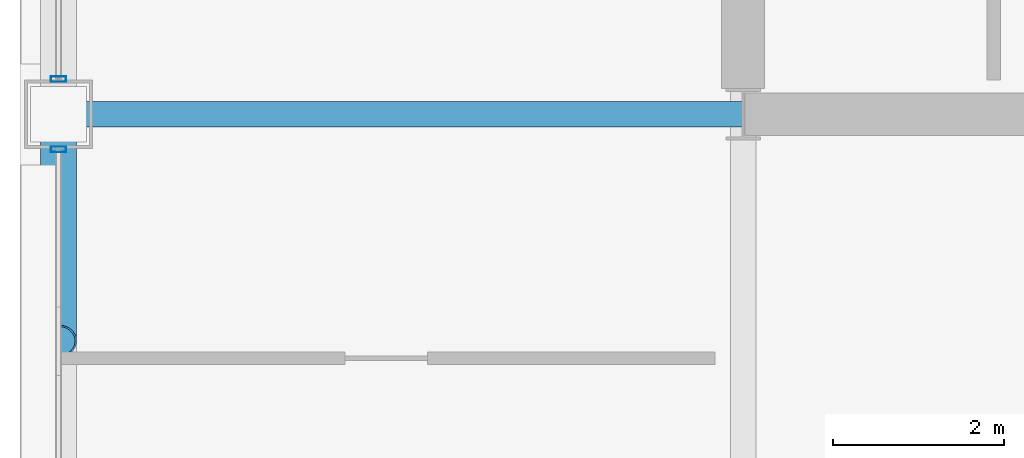
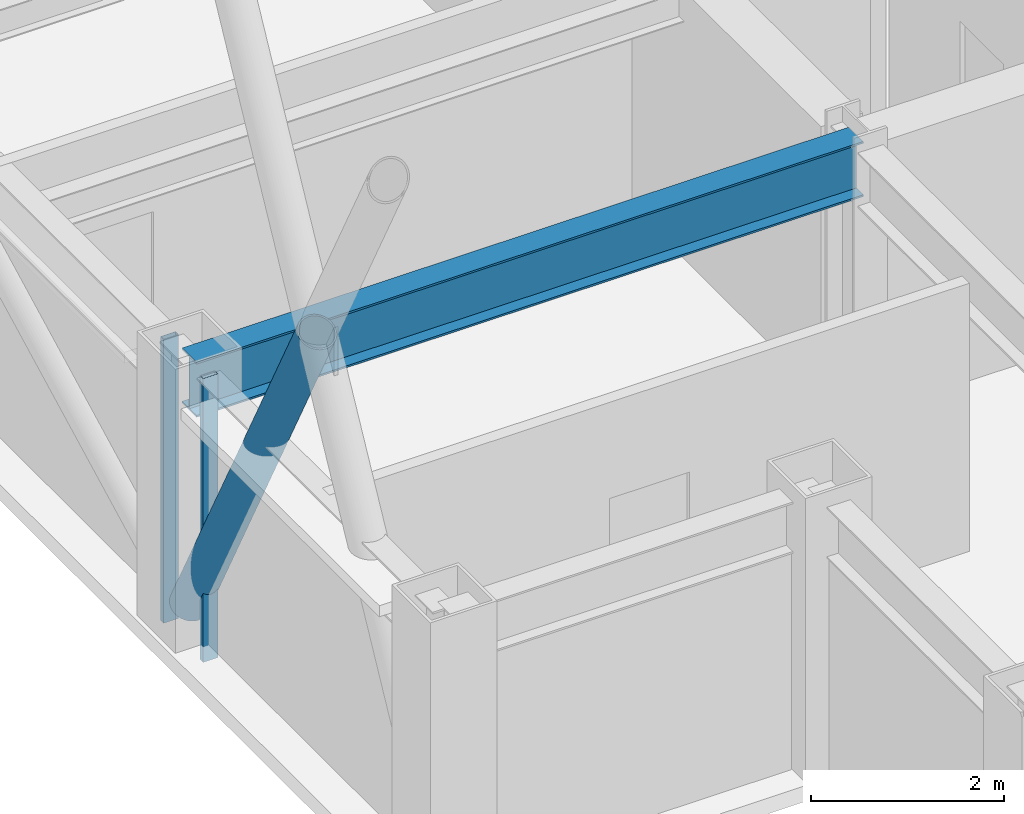
# One storey, part 5 of 33: 3 members, 1 beam, 2 elements without a shape of their own.
"""IFC4 building model written with IfcOpenShell, lengths in metres."""

from ifc_helpers import new_model, si_unit, direction, frame, origin, origin_2d, place, context, subcontext, project, spatial, hollow_rectangle, hollow_circle, i_section, extrude, material, layer, layer_set, material_profile, profile_set, type_object, element, aggregate, save


model = new_model("IFC4")

# Units and contexts
model_context = context("Model", 3, precision=1e-05, world=origin(), true_north=direction((0.0, 1.0)))
body_context = subcontext(model_context, "Body", "Model", "MODEL_VIEW")
ifc_project = project(units=[si_unit("LENGTHUNIT", "METRE"), si_unit("AREAUNIT", "SQUARE_METRE"), si_unit("VOLUMEUNIT", "CUBIC_METRE"), si_unit("PLANEANGLEUNIT", "RADIAN"), si_unit("MASSUNIT", "GRAM", prefix="KILO")], contexts=[model_context])

# Site, building, storey
site_placement = place(None, origin())
site = spatial("IfcSite", under=ifc_project, at=site_placement, CompositionType="ELEMENT")
building_placement = place(site_placement, origin())
building = spatial("IfcBuilding", under=site, at=building_placement, Name="Brelmoor Portico Tower", CompositionType="ELEMENT")
storey_placement = place(building_placement, frame((0.0, 0.0, 120.60009765625)))
storey = spatial("IfcBuildingStorey", under=building, at=storey_placement, Name="L31", CompositionType="ELEMENT", Elevation=120.60009765625)

# Beam
ifc_material_1 = material(Name="Steel Q355B", Category="steel")
ifc_material_profile_1 = material_profile(ifc_material_1, i_section(OverallWidth=0.300048828125, OverallDepth=0.699951171875, WebThickness=0.012939453125, FlangeThickness=0.02392578125, at=origin_2d()), Name="HN 700x300x13x24")
ifc_profile_set_1 = profile_set([ifc_material_profile_1], Name="Steel Q355B")
beam_type = type_object("IfcBeamType", Name="BM-PG-700", PredefinedType="BEAM", material=ifc_profile_set_1)
beam_placement = place(storey_placement, frame((-22.550048828125, -9.75, 3.0498046875), z_axis=(1.0, 0.0, 0.0), x_axis=(0.0, 1.0, 0.0)))
element("IfcBeam", 1, at=beam_placement, inside=storey, type_object=beam_type, Name="L31 Primary Floor Girder PG-14", PredefinedType="BEAM", context=body_context, shape_type="SweptSolid", body=[
    extrude(i_section(OverallWidth=0.300048828125, OverallDepth=0.699951171875, WebThickness=0.012939453125, FlangeThickness=0.02392578125, at=origin_2d()), origin(), (0.0, 0.0, 1.0), 8.0),
])

# Member
ifc_material_profile_2 = material_profile(ifc_material_1, hollow_circle(Radius=0.212890625, WallThickness=0.02001953125, at=origin_2d()), Name="CHS 426x20")
ifc_profile_set_2 = profile_set([ifc_material_profile_2], Name="Steel Q355B")
member_type_1 = type_object("IfcMemberType", Name="MB-BELT-DIAG1", PredefinedType="BRACE", material=ifc_profile_set_2)
member_1_placement = place(storey_placement, frame((-22.550048828125, -9.75, 0.25), z_axis=(0.0, -0.464662733102, 0.885487743826), x_axis=(1.0, 0.0, 0.0)))
element("IfcMember", 2, at=member_1_placement, inside=storey, type_object=member_type_1, Name="L31 Split Mega-X Brace 069B1", PredefinedType="BRACE", context=body_context, shape_type="SweptSolid", body=[
    extrude(hollow_circle(Radius=0.212890625, WallThickness=0.02001953125, at=origin_2d()), origin(), (0.0, 0.0, 1.0), 5.702880859375),
])

# Curtain wall, member
ifc_material_2 = material(Name="Anodised Aluminium Alloy 6063-T6", Category="aluminium")
ifc_layer = layer(ifc_material_2, 0.179931640625)
ifc_layer_set = layer_set([ifc_layer], Name="Anodised Aluminium Alloy 6063-T6")
curtain_wall_type = type_object("IfcCurtainWallType", Name="CW-TOWER-Z2-XB", PredefinedType="NOTDEFINED", material=ifc_layer_set)
curtain_wall_1_placement = place(storey_placement, origin())
curtain_wall_1 = element("IfcCurtainWall", 3, at=curtain_wall_1_placement, inside=storey, type_object=curtain_wall_type, Name="L31 Curtain Wall CW-L31-03-1", PredefinedType="NOTDEFINED")
ifc_material_profile_3 = material_profile(ifc_material_2, hollow_rectangle(XDim=0.06494140625, YDim=0.179931640625, WallThickness=0.00390625, at=origin_2d()), Name="ALU MULLION 65x180")
ifc_profile_set_3 = profile_set([ifc_material_profile_3], Name="Anodised Aluminium Alloy 6063-T6")
member_type_2 = type_object("IfcMemberType", Name="MB-CW-MULL-180", PredefinedType="MULLION", material=ifc_profile_set_3)
member_2_placement = place(storey_placement, frame((-22.550048828125, -10.159912109375, -0.2001953125), z_axis=(0.0, 0.0, 1.0), x_axis=(0.0, 1.0, 0.0)))
member_2 = element("IfcMember", 4, at=member_2_placement, type_object=member_type_2, Name="CW-L31-03-1 Mullion 01", PredefinedType="MULLION", context=body_context, shape_type="SweptSolid", body=[
    extrude(hollow_rectangle(XDim=0.06494140625, YDim=0.179931640625, WallThickness=0.00390625, at=origin_2d()), origin(), (0.0, 0.0, 1.0), 3.60009765625),
])
aggregate(curtain_wall_1, [member_2])

curtain_wall_2_placement = place(storey_placement, origin())
curtain_wall_2 = element("IfcCurtainWall", 5, at=curtain_wall_2_placement, inside=storey, type_object=curtain_wall_type, Name="L31 Curtain Wall CW-L31-03-2", PredefinedType="NOTDEFINED")
member_3_placement = place(storey_placement, frame((-22.550048828125, -9.340087890625, -0.2001953125), z_axis=(0.0, 0.0, 1.0), x_axis=(0.0, 1.0, 0.0)))
member_3 = element("IfcMember", 6, at=member_3_placement, type_object=member_type_2, Name="CW-L31-03-2 Mullion 00", PredefinedType="MULLION", context=body_context, shape_type="SweptSolid", body=[
    extrude(hollow_rectangle(XDim=0.06494140625, YDim=0.179931640625, WallThickness=0.00390625, at=origin_2d()), origin(), (0.0, 0.0, 1.0), 3.60009765625),
])
aggregate(curtain_wall_2, [member_3])

save(model, "model.ifc")
